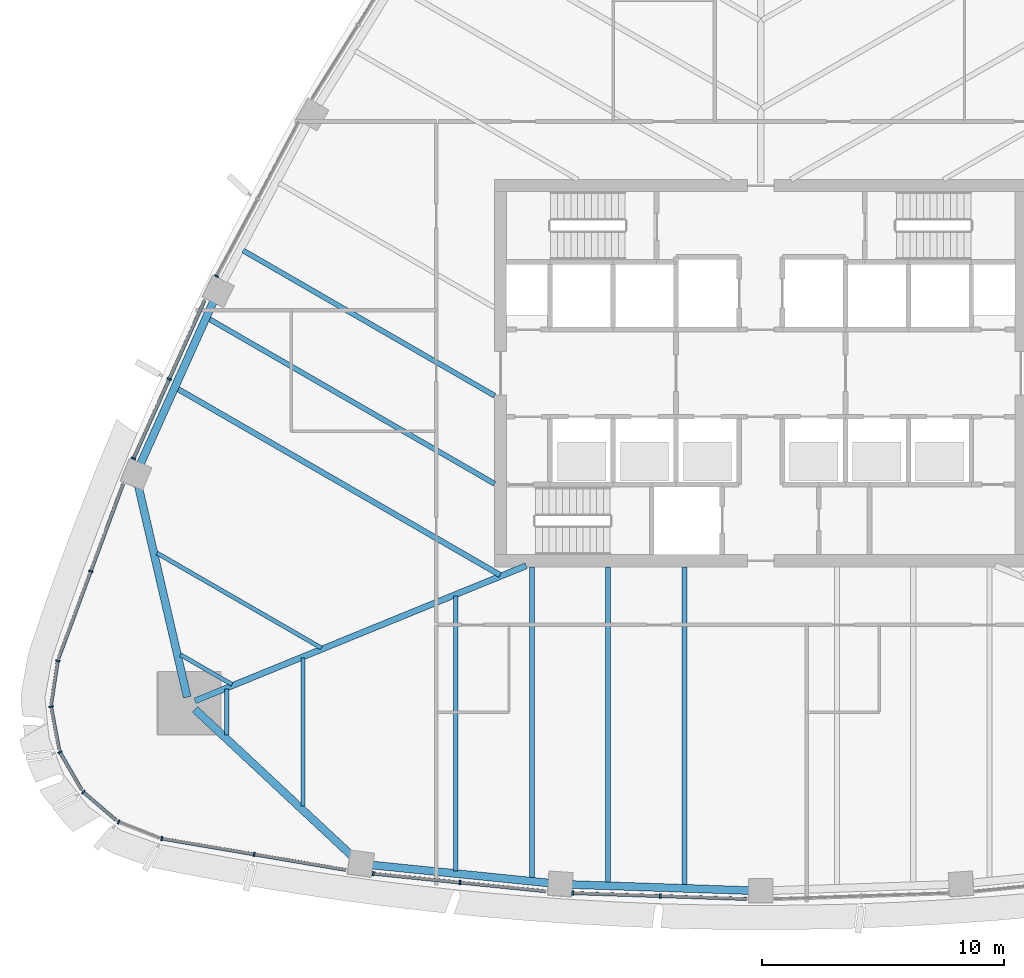
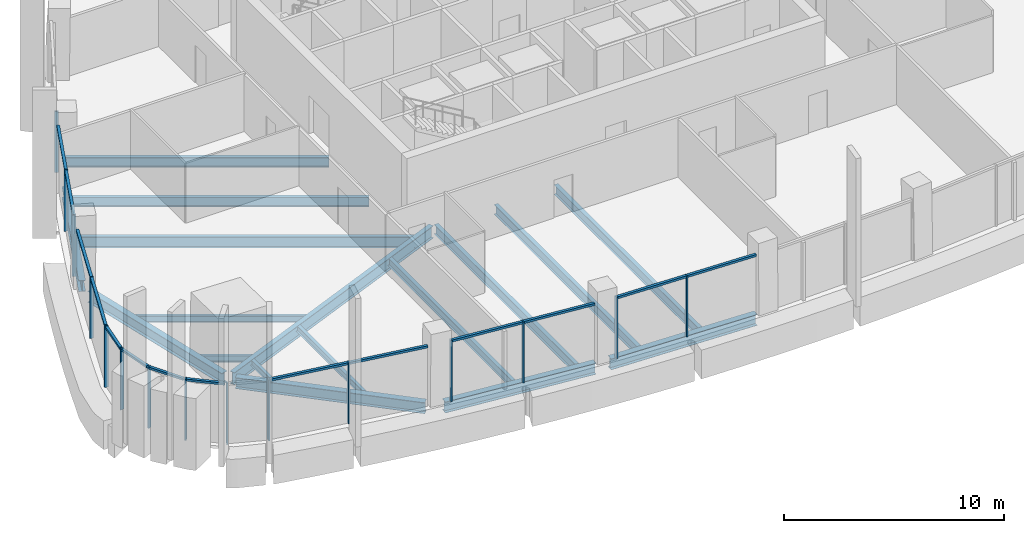
# One storey, part 2 of 19: 29 members, 17 beams, 11 elements without a shape of their own.
"""IFC4 building model written with IfcOpenShell, lengths in metres."""

import ifcopenshell
import ifcopenshell.guid

model = None  # the IFC model being written
_history = None  # IfcOwnerHistory: only IFC2X3 demands one
_inside = {}  # id of a spatial element -> (the spatial element, [elements in it])
_under = {}  # id of a project, library or spatial element -> (it, [spatial elements below it])
_declared = {}  # id of a project -> (the project, [libraries it declares])
_typed = {}  # id of a type object -> (the type object, [elements of that type])
_made_of = {}  # id of a material, layer set ... -> (it, [elements and type objects made of it])


def new_model(schema):
    """Start an empty IFC model of exactly this schema.

    Asked for "IFC4X3", IfcOpenShell would pick the latest addendum, in which some entities
    have other attributes; the version numbers below select the first issue.
    IFC2X3 requires an IfcOwnerHistory on every rooted entity: one is made here for all.
    """
    global model, _history
    if schema == "IFC4X3":
        model = ifcopenshell.file(schema_version=(4, 3, 0, 0))
    else:
        model = ifcopenshell.file(schema=schema)
    _inside.clear()
    _under.clear()
    _declared.clear()
    _typed.clear()
    _made_of.clear()
    _history = None
    if model.schema == "IFC2X3":
        org = make("IfcOrganization", Name="unknown")
        user = make(
            "IfcPersonAndOrganization",
            ThePerson=make("IfcPerson", FamilyName="unknown"),
            TheOrganization=org,
        )
        app = make(
            "IfcApplication",
            ApplicationDeveloper=org,
            Version="unknown",
            ApplicationFullName="unknown",
            ApplicationIdentifier="unknown",
        )
        _history = make(
            "IfcOwnerHistory",
            OwningUser=user,
            OwningApplication=app,
            ChangeAction="ADDED",
            CreationDate=0,
        )
    return model


def make(cls, **values):
    """One entity of the class cls with the attributes given. An attribute that is None is left unset."""
    return model.create_entity(
        cls, **{name: value for name, value in values.items() if value is not None}
    )


def rooted(cls, **values):
    """An entity with a GlobalId (a new one), such as an element, a storey or a relation."""
    return make(cls, GlobalId=ifcopenshell.guid.new(), OwnerHistory=_history, **values)


def si_unit(unit_type, name, prefix=None):
    """IfcSIUnit, for example si_unit("LENGTHUNIT", "METRE", prefix="MILLI")."""
    return make("IfcSIUnit", UnitType=unit_type, Prefix=prefix, Name=name)


def assignment(units):
    """IfcUnitAssignment: the units of a project."""
    return None if units is None else make("IfcUnitAssignment", Units=units)


def point(xyz):
    """IfcCartesianPoint."""
    return None if xyz is None else make("IfcCartesianPoint", Coordinates=xyz)


def direction(xyz):
    """IfcDirection."""
    return None if xyz is None else make("IfcDirection", DirectionRatios=xyz)


def frame(location, z_axis=None, x_axis=None):
    """IfcAxis2Placement3D, a coordinate frame: its origin and axes. An axis left out is left unset."""
    return make(
        "IfcAxis2Placement3D",
        Location=point(location),
        Axis=direction(z_axis),
        RefDirection=direction(x_axis),
    )


def frame_2d(location, x_axis=None):
    """IfcAxis2Placement2D, a coordinate frame in the plane: its origin and x axis."""
    return make(
        "IfcAxis2Placement2D", Location=point(location), RefDirection=direction(x_axis)
    )


def origin():
    """The frame at (0, 0, 0) with its axes left unset."""
    return frame((0.0, 0.0, 0.0))


def origin_2d():
    """The frame at (0, 0) in the plane with its x axis left unset."""
    return frame_2d((0.0, 0.0))


def place(relative_to, where):
    """IfcLocalPlacement: puts the frame where relative to a parent placement (None: the world)."""
    return make(
        "IfcLocalPlacement", PlacementRelTo=relative_to, RelativePlacement=where
    )


def context(
    kind, dimensions, precision=None, world=None, true_north=None, identifier=None
):
    """IfcGeometricRepresentationContext, for example the 3D "Model" context."""
    return make(
        "IfcGeometricRepresentationContext",
        ContextIdentifier=identifier,
        ContextType=kind,
        CoordinateSpaceDimension=dimensions,
        Precision=precision,
        WorldCoordinateSystem=world,
        TrueNorth=true_north,
    )


def subcontext(parent, identifier, kind, view, scale=None):
    """IfcGeometricRepresentationSubContext, for example "Body" below "Model"."""
    return make(
        "IfcGeometricRepresentationSubContext",
        ContextIdentifier=identifier,
        ContextType=kind,
        ParentContext=parent,
        TargetScale=scale,
        TargetView=view,
    )


def project(units=None, contexts=None):
    """IfcProject with its units and contexts."""
    return rooted(
        "IfcProject",
        Name="project",
        RepresentationContexts=contexts,
        UnitsInContext=assignment(units),
    )


def spatial(cls, under=None, at=None, **own):
    """A site, building, storey or space (cls), placed at a placement, below another one or the project."""
    s = rooted(cls, ObjectPlacement=at, **own)
    if under is not None:
        _under.setdefault(under.id(), (under, []))[1].append(s)
    return s


def profile(cls, at=None, kind="AREA", **sizes):
    """A parametric profile (cls). Its sizes go by their IFC names, for example OverallWidth=200.0."""
    return make(cls, ProfileType=kind, Position=at, **sizes)


def rectangle(**sizes):
    """IfcRectangleProfileDef."""
    return profile("IfcRectangleProfileDef", **sizes)


def i_section(**sizes):
    """IfcIShapeProfileDef."""
    return profile("IfcIShapeProfileDef", **sizes)


def extrude(swept, where, along, depth):
    """IfcExtrudedAreaSolid: the profile swept, set in the frame where, extruded along a direction by depth."""
    return make(
        "IfcExtrudedAreaSolid",
        SweptArea=swept,
        Position=where,
        ExtrudedDirection=direction(along),
        Depth=depth,
    )


def shape(context_of_items, identifier, shape_type, items):
    """IfcShapeRepresentation: the items that make up one representation, for example the "Body"."""
    return make(
        "IfcShapeRepresentation",
        ContextOfItems=context_of_items,
        RepresentationIdentifier=identifier,
        RepresentationType=shape_type,
        Items=items,
    )


def material(Name=None, Category=None):
    """IfcMaterial."""
    return make("IfcMaterial", Name=Name, Category=Category)


def layer(
    of_material, thickness, ventilated=None, Name=None, Category=None, Priority=None
):
    """IfcMaterialLayer: one layer of a wall or slab, of a material (None: an air gap)."""
    return make(
        "IfcMaterialLayer",
        Material=of_material,
        LayerThickness=thickness,
        IsVentilated=ventilated,
        Name=Name,
        Category=Category,
        Priority=Priority,
    )


def layer_set(layers, Name=None):
    """IfcMaterialLayerSet."""
    return make("IfcMaterialLayerSet", MaterialLayers=layers, LayerSetName=Name)


def material_profile(
    of_material, cross_section, Name=None, Category=None, Priority=None
):
    """IfcMaterialProfile: a cross section and its material."""
    return make(
        "IfcMaterialProfile",
        Name=Name,
        Material=of_material,
        Profile=cross_section,
        Priority=Priority,
        Category=Category,
    )


def profile_set(profiles, Name=None, composite=None):
    """IfcMaterialProfileSet."""
    return make(
        "IfcMaterialProfileSet",
        Name=Name,
        MaterialProfiles=profiles,
        CompositeProfile=composite,
    )


def made_of(thing, what):
    """Note that an element or type object is made of a material, layer set ...; save() writes the relation."""
    if what is not None:
        _made_of.setdefault(what.id(), (what, []))[1].append(thing)
    return thing


def type_object(cls, material=None, **own):
    """A type object (cls), such as IfcWallType, which elements share."""
    return made_of(rooted(cls, **own), material)


def element(
    cls,
    number,
    at=None,
    inside=None,
    cuts=None,
    type_object=None,
    material=None,
    context=None,
    identifier="Body",
    shape_type=None,
    held_by="IfcProductDefinitionShape",
    body=None,
    shapes=None,
    **own,
):
    """One element of the class cls, such as IfcWall. Its Tag is "e" and its number.

    at: its placement. inside: the storey or other place that contains it. cuts: it is an
    opening in that element (IfcRelVoidsElement). A single representation is given by context,
    identifier, shape_type and body (its items); several are given by shapes. held_by: the class
    of the entity that holds the representations. save() writes the other relations.
    """
    e = rooted(cls, Tag="e%d" % number, ObjectPlacement=at, **own)
    if body is not None:
        shapes = [shape(context, identifier, shape_type, body)]
    if shapes is not None:
        e.Representation = make(held_by, Representations=shapes)
    if inside is not None:
        _inside.setdefault(inside.id(), (inside, []))[1].append(e)
    if cuts is not None:
        rooted(
            "IfcRelVoidsElement", RelatingBuildingElement=cuts, RelatedOpeningElement=e
        )
    if type_object is not None:
        _typed.setdefault(type_object.id(), (type_object, []))[1].append(e)
    return made_of(e, material)


def aggregate(whole, parts):
    """IfcRelAggregates: a whole, such as a stair, and the parts it consists of."""
    return rooted("IfcRelAggregates", RelatingObject=whole, RelatedObjects=parts)


def save(model, path):
    """Write the relations noted so far, then the file.

    IfcRelAggregates (storeys below a building ...), IfcRelContainedInSpatialStructure (elements
    in a storey), IfcRelDefinesByType, IfcRelAssociatesMaterial and IfcRelDeclares: one each for
    every whole, place, type object, material and project.
    """
    for whole, parts in _under.values():
        aggregate(whole, parts)
    for where, things in _inside.values():
        rooted(
            "IfcRelContainedInSpatialStructure",
            RelatedElements=things,
            RelatingStructure=where,
        )
    for kind, things in _typed.values():
        rooted("IfcRelDefinesByType", RelatedObjects=things, RelatingType=kind)
    for what, things in _made_of.values():
        rooted("IfcRelAssociatesMaterial", RelatedObjects=things, RelatingMaterial=what)
    for by, libraries in _declared.values():
        rooted("IfcRelDeclares", RelatingContext=by, RelatedDefinitions=libraries)
    model.write(path)


model = new_model("IFC4")

# Units and contexts
model_context = context("Model", 3, precision=1e-05, world=origin(), true_north=direction((0.0, 1.0)))
body_context = subcontext(model_context, "Body", "Model", "MODEL_VIEW")
ifc_project = project(units=[si_unit("LENGTHUNIT", "METRE"), si_unit("AREAUNIT", "SQUARE_METRE"), si_unit("VOLUMEUNIT", "CUBIC_METRE"), si_unit("PLANEANGLEUNIT", "RADIAN"), si_unit("MASSUNIT", "GRAM", prefix="KILO")], contexts=[model_context])

# Site, building, storey
site_placement = place(None, origin())
site = spatial("IfcSite", under=ifc_project, at=site_placement, CompositionType="ELEMENT")
building_placement = place(site_placement, origin())
building = spatial("IfcBuilding", under=site, at=building_placement, Name="Sierra Prisma Convention Tower", CompositionType="ELEMENT")
storey_placement = place(building_placement, frame((0.0, 0.0, 177.800048828125)))
storey = spatial("IfcBuildingStorey", under=building, at=storey_placement, Name="L39", CompositionType="ELEMENT", Elevation=177.800048828125)

# Curtain wall, members
ifc_material_1 = material(Name="Aluminium and glass curtain wall", Category="aluminium")
ifc_layer = layer(ifc_material_1, 0.179931640625)
ifc_layer_set = layer_set([ifc_layer], Name="CW-1 Plain shaft curtain wall")
curtain_wall_type = type_object("IfcCurtainWallType", Name="CW-1 Plain shaft curtain wall", PredefinedType="NOTDEFINED", material=ifc_layer_set)
curtain_wall_1_placement = place(storey_placement, origin())
curtain_wall_1 = element("IfcCurtainWall", 1, at=curtain_wall_1_placement, inside=storey, type_object=curtain_wall_type, Name="CW-1 S1 L39", PredefinedType="NOTDEFINED")
ifc_material_2 = material(Name="Aluminium 6063-T6 bronze anodised", Category="aluminium")
ifc_material_profile_1 = material_profile(ifc_material_2, rectangle(XDim=0.179931640625, YDim=0.070068359375, at=origin_2d()), Name="ALU MULLION 70x180")
ifc_profile_set_1 = profile_set([ifc_material_profile_1], Name="Aluminium 6063-T6 bronze anodised")
member_type_1 = type_object("IfcMemberType", Name="CW mullion bronze", PredefinedType="MULLION", material=ifc_profile_set_1)
member_1_placement = place(storey_placement, frame((-24.746337890625, -19.22802734375, 0.0), z_axis=(0.0, 0.0, 1.0), x_axis=(0.16806003427, 0.985776762194, 0.0)))
member_1 = element("IfcMember", 2, at=member_1_placement, type_object=member_type_1, Name="CW-1 mullion S1.1", PredefinedType="MULLION", context=body_context, shape_type="SweptSolid", body=[
    extrude(rectangle(XDim=0.179931640625, YDim=0.070068359375, at=origin_2d()), origin(), (0.0, 0.0, 1.0), 3.39990234375),
])
member_2_placement = place(storey_placement, frame((-20.9287109375, -19.87890625, 0.0), z_axis=(0.0, 0.0, 1.0), x_axis=(0.16806003427, 0.985776762194, 0.0)))
member_2 = element("IfcMember", 3, at=member_2_placement, type_object=member_type_1, Name="CW-1 mullion S1.2", PredefinedType="MULLION", context=body_context, shape_type="SweptSolid", body=[
    extrude(rectangle(XDim=0.179931640625, YDim=0.070068359375, at=origin_2d()), origin(), (0.0, 0.0, 1.0), 3.39990234375),
])

curtain_wall_2_placement = place(storey_placement, origin())
curtain_wall_2 = element("IfcCurtainWall", 4, at=curtain_wall_2_placement, inside=storey, type_object=curtain_wall_type, Name="CW-1 S2 L39", PredefinedType="NOTDEFINED")
member_3_placement = place(storey_placement, frame((-16.007080078125, -20.67822265625, 0.0), z_axis=(0.0, 0.0, 1.0), x_axis=(0.101143579749, 0.994871839121, 0.0)))
member_3 = element("IfcMember", 5, at=member_3_placement, type_object=member_type_1, Name="CW-1 mullion S2.1", PredefinedType="MULLION", context=body_context, shape_type="SweptSolid", body=[
    extrude(rectangle(XDim=0.179931640625, YDim=0.070068359375, at=origin_2d()), origin(), (0.0, 0.0, 1.0), 3.39990234375),
])
member_4_placement = place(storey_placement, frame((-12.425048828125, -21.04248046875, 0.0), z_axis=(0.0, 0.0, 1.0), x_axis=(0.101143579749, 0.994871839121, 0.0)))
member_4 = element("IfcMember", 6, at=member_4_placement, type_object=member_type_1, Name="CW-1 mullion S2.2", PredefinedType="MULLION", context=body_context, shape_type="SweptSolid", body=[
    extrude(rectangle(XDim=0.179931640625, YDim=0.070068359375, at=origin_2d()), origin(), (0.0, 0.0, 1.0), 3.39990234375),
])

curtain_wall_3_placement = place(storey_placement, origin())
curtain_wall_3 = element("IfcCurtainWall", 7, at=curtain_wall_3_placement, inside=storey, type_object=curtain_wall_type, Name="CW-1 S3 L39", PredefinedType="NOTDEFINED")
member_5_placement = place(storey_placement, frame((-7.763427734375, -21.479248046875, 0.0), z_axis=(0.0, 0.0, 1.0), x_axis=(0.033765856682, 0.999429770881, 0.0)))
member_5 = element("IfcMember", 8, at=member_5_placement, type_object=member_type_1, Name="CW-1 mullion S3.1", PredefinedType="MULLION", context=body_context, shape_type="SweptSolid", body=[
    extrude(rectangle(XDim=0.179931640625, YDim=0.070068359375, at=origin_2d()), origin(), (0.0, 0.0, 1.0), 3.39990234375),
])
member_6_placement = place(storey_placement, frame((-4.149169921875, -21.601318359375, 0.0), z_axis=(0.0, 0.0, 1.0), x_axis=(0.033765856682, 0.999429770881, 0.0)))
member_6 = element("IfcMember", 9, at=member_6_placement, type_object=member_type_1, Name="CW-1 mullion S3.2", PredefinedType="MULLION", context=body_context, shape_type="SweptSolid", body=[
    extrude(rectangle(XDim=0.179931640625, YDim=0.070068359375, at=origin_2d()), origin(), (0.0, 0.0, 1.0), 3.39990234375),
])

# Curtain wall, member
curtain_wall_4_placement = place(storey_placement, origin())
curtain_wall_4 = element("IfcCurtainWall", 10, at=curtain_wall_4_placement, inside=storey, type_object=curtain_wall_type, Name="CW-1 NW4 L39", PredefinedType="NOTDEFINED")
member_7_placement = place(storey_placement, frame((-22.483154296875, 4.01611328125, 0.0), z_axis=(0.0, 0.0, 1.0), x_axis=(0.882414499222, -0.470472795773, 0.0)))
member_7 = element("IfcMember", 11, at=member_7_placement, type_object=member_type_1, Name="CW-1 mullion NW4.3", PredefinedType="MULLION", context=body_context, shape_type="SweptSolid", body=[
    extrude(rectangle(XDim=0.179931640625, YDim=0.070068359375, at=origin_2d()), origin(), (0.0, 0.0, 1.0), 3.39990234375),
])
aggregate(curtain_wall_4, [member_7])

# Curtain wall, members
curtain_wall_5_placement = place(storey_placement, origin())
curtain_wall_5 = element("IfcCurtainWall", 12, at=curtain_wall_5_placement, inside=storey, type_object=curtain_wall_type, Name="CW-1 NW5 L39", PredefinedType="NOTDEFINED")
member_8_placement = place(storey_placement, frame((-24.435791015625, -0.2392578125, 0.0), z_axis=(0.0, 0.0, 1.0), x_axis=(0.912156076063, -0.409843010068, 0.0)))
member_8 = element("IfcMember", 13, at=member_8_placement, type_object=member_type_1, Name="CW-1 mullion NW5.2", PredefinedType="MULLION", context=body_context, shape_type="SweptSolid", body=[
    extrude(rectangle(XDim=0.179931640625, YDim=0.070068359375, at=origin_2d()), origin(), (0.0, 0.0, 1.0), 3.39990234375),
])
member_9_placement = place(storey_placement, frame((-25.911376953125, -3.5234375, 0.0), z_axis=(0.0, 0.0, 1.0), x_axis=(0.912156076063, -0.409843010068, 0.0)))
member_9 = element("IfcMember", 14, at=member_9_placement, type_object=member_type_1, Name="CW-1 mullion NW5.3", PredefinedType="MULLION", context=body_context, shape_type="SweptSolid", body=[
    extrude(rectangle(XDim=0.179931640625, YDim=0.070068359375, at=origin_2d()), origin(), (0.0, 0.0, 1.0), 3.39990234375),
])

# Curtain wall, member
curtain_wall_6_placement = place(storey_placement, origin())
curtain_wall_6 = element("IfcCurtainWall", 15, at=curtain_wall_6_placement, inside=storey, type_object=curtain_wall_type, Name="CW-1 NW6 L39", PredefinedType="NOTDEFINED")
member_10_placement = place(storey_placement, frame((-27.679931640625, -8.185302734375, 0.0), z_axis=(0.0, 0.0, 1.0), x_axis=(0.937737735655, -0.347344122058, 0.0)))
member_10 = element("IfcMember", 16, at=member_10_placement, type_object=member_type_1, Name="CW-1 mullion NW6.2", PredefinedType="MULLION", context=body_context, shape_type="SweptSolid", body=[
    extrude(rectangle(XDim=0.179931640625, YDim=0.070068359375, at=origin_2d()), origin(), (0.0, 0.0, 1.0), 3.39990234375),
])

curtain_wall_7_placement = place(storey_placement, origin())
curtain_wall_7 = element("IfcCurtainWall", 17, at=curtain_wall_7_placement, inside=storey, type_object=curtain_wall_type, Name="CW-1 SW1 L39", PredefinedType="NOTDEFINED")
member_11_placement = place(storey_placement, frame((-29.04248046875, -11.88427734375, 0.0), z_axis=(0.0, 0.0, 1.0), x_axis=(0.988462297982, -0.151467110188, 0.0)))
member_11 = element("IfcMember", 18, at=member_11_placement, type_object=member_type_1, Name="CW-1 mullion SW1.1", PredefinedType="MULLION", context=body_context, shape_type="SweptSolid", body=[
    extrude(rectangle(XDim=0.179931640625, YDim=0.070068359375, at=origin_2d()), origin(), (0.0, 0.0, 1.0), 3.39990234375),
])

curtain_wall_8_placement = place(storey_placement, origin())
curtain_wall_8 = element("IfcCurtainWall", 19, at=curtain_wall_8_placement, inside=storey, type_object=curtain_wall_type, Name="CW-1 SW2 L39", PredefinedType="NOTDEFINED")
member_12_placement = place(storey_placement, frame((-29.320556640625, -13.776123046875, 0.0), z_axis=(0.0, 0.0, 1.0), x_axis=(0.982793726025, 0.184706502553, 0.0)))
member_12 = element("IfcMember", 20, at=member_12_placement, type_object=member_type_1, Name="CW-1 mullion SW2.1", PredefinedType="MULLION", context=body_context, shape_type="SweptSolid", body=[
    extrude(rectangle(XDim=0.179931640625, YDim=0.070068359375, at=origin_2d()), origin(), (0.0, 0.0, 1.0), 3.39990234375),
])

curtain_wall_9_placement = place(storey_placement, origin())
curtain_wall_9 = element("IfcCurtainWall", 21, at=curtain_wall_9_placement, inside=storey, type_object=curtain_wall_type, Name="CW-1 SW3 L39", PredefinedType="NOTDEFINED")
member_13_placement = place(storey_placement, frame((-28.9560546875, -15.653076171875, 0.0), z_axis=(0.0, 0.0, 1.0), x_axis=(0.866025403784, 0.5, 0.0)))
member_13 = element("IfcMember", 22, at=member_13_placement, type_object=member_type_1, Name="CW-1 mullion SW3.1", PredefinedType="MULLION", context=body_context, shape_type="SweptSolid", body=[
    extrude(rectangle(XDim=0.179931640625, YDim=0.070068359375, at=origin_2d()), origin(), (0.0, 0.0, 1.0), 3.39990234375),
])

curtain_wall_10_placement = place(storey_placement, origin())
curtain_wall_10 = element("IfcCurtainWall", 23, at=curtain_wall_10_placement, inside=storey, type_object=curtain_wall_type, Name="CW-1 SW4 L39", PredefinedType="NOTDEFINED")
member_14_placement = place(storey_placement, frame((-27.989990234375, -17.30322265625, 0.0), z_axis=(0.0, 0.0, 1.0), x_axis=(0.651357386468, 0.758771082141, 0.0)))
member_14 = element("IfcMember", 24, at=member_14_placement, type_object=member_type_1, Name="CW-1 mullion SW4.1", PredefinedType="MULLION", context=body_context, shape_type="SweptSolid", body=[
    extrude(rectangle(XDim=0.179931640625, YDim=0.070068359375, at=origin_2d()), origin(), (0.0, 0.0, 1.0), 3.39990234375),
])

curtain_wall_11_placement = place(storey_placement, origin())
curtain_wall_11 = element("IfcCurtainWall", 25, at=curtain_wall_11_placement, inside=storey, type_object=curtain_wall_type, Name="CW-1 SW5 L39", PredefinedType="NOTDEFINED")
member_15_placement = place(storey_placement, frame((-26.531494140625, -18.539794921875, 0.0), z_axis=(0.0, 0.0, 1.0), x_axis=(0.36305678373, 0.931767015829, 0.0)))
member_15 = element("IfcMember", 26, at=member_15_placement, type_object=member_type_1, Name="CW-1 mullion SW5.1", PredefinedType="MULLION", context=body_context, shape_type="SweptSolid", body=[
    extrude(rectangle(XDim=0.179931640625, YDim=0.070068359375, at=origin_2d()), origin(), (0.0, 0.0, 1.0), 3.39990234375),
])
aggregate(curtain_wall_11, [member_15])

# Member
ifc_material_3 = material(Name="Aluminium 6063-T6 bronze anodised", Category="aluminium")
ifc_material_profile_2 = material_profile(ifc_material_3, rectangle(XDim=0.139892578125, YDim=0.1201171875, at=origin_2d()), Name="ALU TRANSOM 120x140")
ifc_profile_set_2 = profile_set([ifc_material_profile_2], Name="Aluminium 6063-T6 bronze anodised")
member_type_2 = type_object("IfcMemberType", Name="CW transom bronze", PredefinedType="USERDEFINED", material=ifc_profile_set_2)
member_16_placement = place(storey_placement, frame((-24.711669921875, -19.23388671875, 3.33984375), z_axis=(0.985772771819, -0.168083438623, 0.0), x_axis=(0.168083438623, 0.985772771819, 0.0)))
member_16 = element("IfcMember", 27, at=member_16_placement, type_object=member_type_2, Name="CW-1 transom S1.1", ObjectType="TRANSOM", PredefinedType="USERDEFINED", context=body_context, shape_type="SweptSolid", body=[
    extrude(rectangle(XDim=0.139892578125, YDim=0.1201171875, at=origin_2d()), origin(), (0.0, 0.0, 1.0), 3.802734375),
])

member_17_placement = place(storey_placement, frame((-20.89404296875, -19.884765625, 3.33984375), z_axis=(0.985783407887, -0.168021048485, 0.0), x_axis=(0.168021048485, 0.985783407887, 0.0)))
member_17 = element("IfcMember", 28, at=member_17_placement, type_object=member_type_2, Name="CW-1 transom S1.2", ObjectType="TRANSOM", PredefinedType="USERDEFINED", context=body_context, shape_type="SweptSolid", body=[
    extrude(rectangle(XDim=0.139892578125, YDim=0.1201171875, at=origin_2d()), origin(), (0.0, 0.0, 1.0), 3.802490234375),
])

aggregate(curtain_wall_1, [member_1, member_2, member_16, member_17])

member_18_placement = place(storey_placement, frame((-15.97216796875, -20.681640625, 3.33984375), z_axis=(0.994869427128, -0.101167301862, 0.0), x_axis=(0.101167301862, 0.994869427128, 0.0)))
member_18 = element("IfcMember", 29, at=member_18_placement, type_object=member_type_2, Name="CW-1 transom S2.1", ObjectType="TRANSOM", PredefinedType="USERDEFINED", context=body_context, shape_type="SweptSolid", body=[
    extrude(rectangle(XDim=0.139892578125, YDim=0.1201171875, at=origin_2d()), origin(), (0.0, 0.0, 1.0), 3.530517578125),
])

member_19_placement = place(storey_placement, frame((-12.39013671875, -21.0458984375, 3.33984375), z_axis=(0.994869427128, -0.101167301862, 0.0), x_axis=(0.101167301862, 0.994869427128, 0.0)))
member_19 = element("IfcMember", 30, at=member_19_placement, type_object=member_type_2, Name="CW-1 transom S2.2", ObjectType="TRANSOM", PredefinedType="USERDEFINED", context=body_context, shape_type="SweptSolid", body=[
    extrude(rectangle(XDim=0.139892578125, YDim=0.1201171875, at=origin_2d()), origin(), (0.0, 0.0, 1.0), 3.530517578125),
])

aggregate(curtain_wall_2, [member_3, member_4, member_18, member_19])

member_20_placement = place(storey_placement, frame((-7.728515625, -21.480224609375, 3.33984375), z_axis=(0.999428591047, -0.033800760312, 0.0), x_axis=(0.033800760312, 0.999428591047, 0.0)))
member_20 = element("IfcMember", 31, at=member_20_placement, type_object=member_type_2, Name="CW-1 transom S3.1", ObjectType="TRANSOM", PredefinedType="USERDEFINED", context=body_context, shape_type="SweptSolid", body=[
    extrude(rectangle(XDim=0.139892578125, YDim=0.1201171875, at=origin_2d()), origin(), (0.0, 0.0, 1.0), 3.54638671875),
])

member_21_placement = place(storey_placement, frame((-4.1142578125, -21.6025390625, 3.33984375), z_axis=(0.999430992546, -0.033729677412, 0.0), x_axis=(0.033729677412, 0.999430992546, 0.0)))
member_21 = element("IfcMember", 32, at=member_21_placement, type_object=member_type_2, Name="CW-1 transom S3.2", ObjectType="TRANSOM", PredefinedType="USERDEFINED", context=body_context, shape_type="SweptSolid", body=[
    extrude(rectangle(XDim=0.139892578125, YDim=0.1201171875, at=origin_2d()), origin(), (0.0, 0.0, 1.0), 3.546630859375),
])

aggregate(curtain_wall_3, [member_5, member_6, member_20, member_21])

member_22_placement = place(storey_placement, frame((-22.974365234375, 3.01318359375, 3.33984375), z_axis=(-0.409849943102, -0.912152960933, 0.0), x_axis=(0.912152960933, -0.409849943102, 0.0)))
member_22 = element("IfcMember", 33, at=member_22_placement, type_object=member_type_2, Name="CW-1 transom NW5.1", ObjectType="TRANSOM", PredefinedType="USERDEFINED", context=body_context, shape_type="SweptSolid", body=[
    extrude(rectangle(XDim=0.139892578125, YDim=0.1201171875, at=origin_2d()), origin(), (0.0, 0.0, 1.0), 3.530517578125),
])

member_23_placement = place(storey_placement, frame((-24.449951171875, -0.27099609375, 3.33984375), z_axis=(-0.409849943102, -0.912152960933, 0.0), x_axis=(0.912152960933, -0.409849943102, 0.0)))
member_23 = element("IfcMember", 34, at=member_23_placement, type_object=member_type_2, Name="CW-1 transom NW5.2", ObjectType="TRANSOM", PredefinedType="USERDEFINED", context=body_context, shape_type="SweptSolid", body=[
    extrude(rectangle(XDim=0.139892578125, YDim=0.1201171875, at=origin_2d()), origin(), (0.0, 0.0, 1.0), 3.530517578125),
])

aggregate(curtain_wall_5, [member_8, member_9, member_22, member_23])

member_24_placement = place(storey_placement, frame((-26.346923828125, -4.58642578125, 3.33984375), z_axis=(-0.347335266065, -0.937741015925, 0.0), x_axis=(0.937741015925, -0.347335266065, 0.0)))
member_24 = element("IfcMember", 35, at=member_24_placement, type_object=member_type_2, Name="CW-1 transom NW6.1", ObjectType="TRANSOM", PredefinedType="USERDEFINED", context=body_context, shape_type="SweptSolid", body=[
    extrude(rectangle(XDim=0.139892578125, YDim=0.1201171875, at=origin_2d()), origin(), (0.0, 0.0, 1.0), 3.802734375),
])

member_25_placement = place(storey_placement, frame((-27.692138671875, -8.218017578125, 3.33984375), z_axis=(-0.347314355824, -0.937748760724, 0.0), x_axis=(0.937748760724, -0.347314355824, 0.0)))
member_25 = element("IfcMember", 36, at=member_25_placement, type_object=member_type_2, Name="CW-1 transom NW6.2", ObjectType="TRANSOM", PredefinedType="USERDEFINED", context=body_context, shape_type="SweptSolid", body=[
    extrude(rectangle(XDim=0.139892578125, YDim=0.1201171875, at=origin_2d()), origin(), (0.0, 0.0, 1.0), 3.802978515625),
])

aggregate(curtain_wall_6, [member_10, member_24, member_25])

member_26_placement = place(storey_placement, frame((-29.0478515625, -11.9189453125, 3.33984375), z_axis=(-0.151374649581, -0.988476461765, 0.0), x_axis=(0.988476461765, -0.151374649581, 0.0)))
member_26 = element("IfcMember", 37, at=member_26_placement, type_object=member_type_2, Name="CW-1 transom SW1.1", ObjectType="TRANSOM", PredefinedType="USERDEFINED", context=body_context, shape_type="SweptSolid", body=[
    extrude(rectangle(XDim=0.139892578125, YDim=0.1201171875, at=origin_2d()), origin(), (0.0, 0.0, 1.0), 1.774169921875),
])

aggregate(curtain_wall_7, [member_11, member_26])

member_27_placement = place(storey_placement, frame((-29.314208984375, -13.810546875, 3.33984375), z_axis=(0.184695687978, -0.982795758458, 0.0), x_axis=(0.982795758458, 0.184695687978, 0.0)))
member_27 = element("IfcMember", 38, at=member_27_placement, type_object=member_type_2, Name="CW-1 transom SW2.1", ObjectType="TRANSOM", PredefinedType="USERDEFINED", context=body_context, shape_type="SweptSolid", body=[
    extrude(rectangle(XDim=0.139892578125, YDim=0.1201171875, at=origin_2d()), origin(), (0.0, 0.0, 1.0), 1.77392578125),
])

aggregate(curtain_wall_8, [member_12, member_27])

member_28_placement = place(storey_placement, frame((-28.9384765625, -15.683349609375, 3.33984375), z_axis=(0.499972622635, -0.866041209536, 0.0), x_axis=(0.866041209536, 0.499972622635, 0.0)))
member_28 = element("IfcMember", 39, at=member_28_placement, type_object=member_type_2, Name="CW-1 transom SW3.1", ObjectType="TRANSOM", PredefinedType="USERDEFINED", context=body_context, shape_type="SweptSolid", body=[
    extrude(rectangle(XDim=0.139892578125, YDim=0.1201171875, at=origin_2d()), origin(), (0.0, 0.0, 1.0), 1.77392578125),
])

aggregate(curtain_wall_9, [member_13, member_28])

member_29_placement = place(storey_placement, frame((-27.96337890625, -17.325927734375, 3.33984375), z_axis=(0.758673456366, -0.651471094221, 0.0), x_axis=(0.651471094221, 0.758673456366, 0.0)))
member_29 = element("IfcMember", 40, at=member_29_placement, type_object=member_type_2, Name="CW-1 transom SW4.1", ObjectType="TRANSOM", PredefinedType="USERDEFINED", context=body_context, shape_type="SweptSolid", body=[
    extrude(rectangle(XDim=0.139892578125, YDim=0.1201171875, at=origin_2d()), origin(), (0.0, 0.0, 1.0), 1.774169921875),
])

aggregate(curtain_wall_10, [member_14, member_29])

# Beams
ifc_material_4 = material(Name="Steel ASTM A992 Gr 50", Category="steel")
ifc_material_profile_3 = material_profile(ifc_material_4, i_section(OverallWidth=0.172119140625, OverallDepth=0.35791015625, WebThickness=0.0078125, FlangeThickness=0.01318359375, at=origin_2d()), Name="W360x57")
ifc_profile_set_3 = profile_set([ifc_material_profile_3], Name="Steel ASTM A992 Gr 50")
beam_type_1 = type_object("IfcBeamType", Name="Floor joist W360x57", PredefinedType="JOIST", material=ifc_profile_set_3)
beam_1_placement = place(storey_placement, frame((-22.059326171875, -14.9443359375, -0.3291015625), z_axis=(0.0, 1.0, 0.0), x_axis=(-1.0, 0.0, 0.0)))
element("IfcBeam", 41, at=beam_1_placement, inside=storey, type_object=beam_type_1, Name="Floor joist L39 S01", PredefinedType="JOIST", context=body_context, shape_type="SweptSolid", body=[
    extrude(i_section(OverallWidth=0.172119140625, OverallDepth=0.35791015625, WebThickness=0.0078125, FlangeThickness=0.01318359375, at=origin_2d()), origin(), (0.0, 0.0, 1.0), 1.88671875),
])
beam_2_placement = place(storey_placement, frame((-18.907958984375, -17.886474609375, -0.3291015625), z_axis=(0.0, 1.0, 0.0), x_axis=(-1.0, 0.0, 0.0)))
element("IfcBeam", 42, at=beam_2_placement, inside=storey, type_object=beam_type_1, Name="Floor joist L39 S02", PredefinedType="JOIST", context=body_context, shape_type="SweptSolid", body=[
    extrude(i_section(OverallWidth=0.172119140625, OverallDepth=0.35791015625, WebThickness=0.0078125, FlangeThickness=0.01318359375, at=origin_2d()), origin(), (0.0, 0.0, 1.0), 6.11474609375),
])
beam_3_placement = place(storey_placement, frame((-24.944091796875, -7.431640625, -0.3291015625), z_axis=(0.866025932, -0.499999085102, 0.0), x_axis=(0.499999085102, 0.866025932, 0.0)))
element("IfcBeam", 43, at=beam_3_placement, inside=storey, type_object=beam_type_1, Name="Floor joist L39 NW14", PredefinedType="JOIST", context=body_context, shape_type="SweptSolid", body=[
    extrude(i_section(OverallWidth=0.172119140625, OverallDepth=0.35791015625, WebThickness=0.0078125, FlangeThickness=0.01318359375, at=origin_2d()), origin(), (0.0, 0.0, 1.0), 7.84326171875),
])
beam_4_placement = place(storey_placement, frame((-23.971923828125, -11.6318359375, -0.3291015625), z_axis=(0.866026705384, -0.499997745557, 0.0), x_axis=(0.499997745557, 0.866026705384, 0.0)))
element("IfcBeam", 44, at=beam_4_placement, inside=storey, type_object=beam_type_1, Name="Floor joist L39 NW15", PredefinedType="JOIST", context=body_context, shape_type="SweptSolid", body=[
    extrude(i_section(OverallWidth=0.172119140625, OverallDepth=0.35791015625, WebThickness=0.0078125, FlangeThickness=0.01318359375, at=origin_2d()), origin(), (0.0, 0.0, 1.0), 2.45654296875),
])
ifc_material_5 = material(Name="Steel ASTM A992 Gr 50", Category="steel")
ifc_material_profile_4 = material_profile(ifc_material_5, i_section(OverallWidth=0.18994140625, OverallDepth=0.45703125, WebThickness=0.009033203125, FlangeThickness=0.014404296875, at=origin_2d()), Name="W460x74")
ifc_profile_set_4 = profile_set([ifc_material_profile_4], Name="Steel ASTM A992 Gr 50")
beam_type_2 = type_object("IfcBeamType", Name="Floor joist W460x74", PredefinedType="JOIST", material=ifc_profile_set_4)
beam_5_placement = place(storey_placement, frame((-12.60546875, -20.55908203125, -0.378662109375), z_axis=(0.0, 1.0, 0.0), x_axis=(-1.0, 0.0, 0.0)))
element("IfcBeam", 45, at=beam_5_placement, inside=storey, type_object=beam_type_2, Name="Floor joist L39 S04", PredefinedType="JOIST", context=body_context, shape_type="SweptSolid", body=[
    extrude(i_section(OverallWidth=0.18994140625, OverallDepth=0.45703125, WebThickness=0.009033203125, FlangeThickness=0.014404296875, at=origin_2d()), origin(), (0.0, 0.0, 1.0), 11.359375),
])
ifc_material_6 = material(Name="Steel ASTM A992 Gr 50", Category="steel")
ifc_material_profile_5 = material_profile(ifc_material_6, i_section(OverallWidth=0.208984375, OverallDepth=0.532958984375, WebThickness=0.01025390625, FlangeThickness=0.015625, at=origin_2d()), Name="W530x92")
ifc_profile_set_5 = profile_set([ifc_material_profile_5], Name="Steel ASTM A992 Gr 50")
beam_type_3 = type_object("IfcBeamType", Name="Floor joist W530x92", PredefinedType="JOIST", material=ifc_profile_set_5)
beam_6_placement = place(storey_placement, frame((-9.4541015625, -20.87939453125, -0.41650390625), z_axis=(0.0, 1.0, 0.0), x_axis=(-1.0, 0.0, 0.0)))
element("IfcBeam", 46, at=beam_6_placement, inside=storey, type_object=beam_type_3, Name="Floor joist L39 S05", PredefinedType="JOIST", context=body_context, shape_type="SweptSolid", body=[
    extrude(i_section(OverallWidth=0.208984375, OverallDepth=0.532958984375, WebThickness=0.01025390625, FlangeThickness=0.015625, at=origin_2d()), origin(), (0.0, 0.0, 1.0), 12.87939453125),
])
beam_7_placement = place(storey_placement, frame((-6.302734375, -21.06591796875, -0.41650390625), z_axis=(0.0, 1.0, 0.0), x_axis=(-1.0, 0.0, 0.0)))
element("IfcBeam", 47, at=beam_7_placement, inside=storey, type_object=beam_type_3, Name="Floor joist L39 S06", PredefinedType="JOIST", context=body_context, shape_type="SweptSolid", body=[
    extrude(i_section(OverallWidth=0.208984375, OverallDepth=0.532958984375, WebThickness=0.01025390625, FlangeThickness=0.015625, at=origin_2d()), origin(), (0.0, 0.0, 1.0), 13.06591796875),
])
beam_8_placement = place(storey_placement, frame((-3.1513671875, -21.17236328125, -0.41650390625), z_axis=(0.0, 1.0, 0.0), x_axis=(-1.0, 0.0, 0.0)))
element("IfcBeam", 48, at=beam_8_placement, inside=storey, type_object=beam_type_3, Name="Floor joist L39 S07", PredefinedType="JOIST", context=body_context, shape_type="SweptSolid", body=[
    extrude(i_section(OverallWidth=0.208984375, OverallDepth=0.532958984375, WebThickness=0.01025390625, FlangeThickness=0.015625, at=origin_2d()), origin(), (0.0, 0.0, 1.0), 13.17236328125),
])
beam_9_placement = place(storey_placement, frame((-21.39501953125, 5.07470703125, -0.41650390625), z_axis=(0.86602910077, -0.499993596579, 0.0), x_axis=(0.499993596579, 0.86602910077, 0.0)))
element("IfcBeam", 49, at=beam_9_placement, inside=storey, type_object=beam_type_3, Name="Floor joist L39 NW10", PredefinedType="JOIST", context=body_context, shape_type="SweptSolid", body=[
    extrude(i_section(OverallWidth=0.208984375, OverallDepth=0.532958984375, WebThickness=0.01025390625, FlangeThickness=0.015625, at=origin_2d()), origin(), (0.0, 0.0, 1.0), 12.003173828125),
])
beam_10_placement = place(storey_placement, frame((-22.80908203125, 2.252197265625, -0.41650390625), z_axis=(0.866028756998, -0.499994192018, 0.0), x_axis=(0.499994192018, 0.866028756998, 0.0)))
element("IfcBeam", 50, at=beam_10_placement, inside=storey, type_object=beam_type_3, Name="Floor joist L39 NW11", PredefinedType="JOIST", context=body_context, shape_type="SweptSolid", body=[
    extrude(i_section(OverallWidth=0.208984375, OverallDepth=0.532958984375, WebThickness=0.01025390625, FlangeThickness=0.015625, at=origin_2d()), origin(), (0.0, 0.0, 1.0), 13.635986328125),
])
ifc_material_7 = material(Name="Steel ASTM A992 Gr 50", Category="steel")
ifc_material_profile_6 = material_profile(ifc_material_7, i_section(OverallWidth=0.22802734375, OverallDepth=0.60302734375, WebThickness=0.010498046875, FlangeThickness=0.014892578125, at=origin_2d()), Name="W610x101")
ifc_profile_set_6 = profile_set([ifc_material_profile_6], Name="Steel ASTM A992 Gr 50")
beam_type_4 = type_object("IfcBeamType", Name="Floor joist W610x101", PredefinedType="JOIST", material=ifc_profile_set_6)
beam_11_placement = place(storey_placement, frame((-24.107421875, -0.636962890625, -0.45166015625), z_axis=(0.866027499993, -0.499996369243, 0.0), x_axis=(0.499996369243, 0.866027499993, 0.0)))
element("IfcBeam", 51, at=beam_11_placement, inside=storey, type_object=beam_type_4, Name="Floor joist L39 NW12", PredefinedType="JOIST", context=body_context, shape_type="SweptSolid", body=[
    extrude(i_section(OverallWidth=0.22802734375, OverallDepth=0.60302734375, WebThickness=0.010498046875, FlangeThickness=0.014892578125, at=origin_2d()), origin(), (0.0, 0.0, 1.0), 15.40478515625),
])
ifc_material_8 = material(Name="Steel ASTM A992 Gr 50", Category="steel")
ifc_material_profile_7 = material_profile(ifc_material_8, i_section(OverallWidth=0.25390625, OverallDepth=0.68408203125, WebThickness=0.012451171875, FlangeThickness=0.018798828125, at=origin_2d()), Name="W690x140")
ifc_profile_set_7 = profile_set([ifc_material_profile_7], Name="Steel ASTM A992 Gr 50")
beam_type_5 = type_object("IfcBeamType", Name="Radial girder W690x140", PredefinedType="BEAM", material=ifc_profile_set_7)
beam_12_placement = place(storey_placement, frame((-23.375, -13.53955078125, -0.491943359375), z_axis=(0.925875473149, 0.377828808087, 0.0), x_axis=(-0.377828808087, 0.925875473149, 0.0)))
element("IfcBeam", 52, at=beam_12_placement, inside=storey, type_object=beam_type_5, Name="Radial girder L39 SW", PredefinedType="BEAM", context=body_context, shape_type="SweptSolid", body=[
    extrude(i_section(OverallWidth=0.25390625, OverallDepth=0.68408203125, WebThickness=0.012451171875, FlangeThickness=0.018798828125, at=origin_2d()), origin(), (0.0, 0.0, 1.0), 14.78173828125),
])
ifc_material_9 = material(Name="Steel ASTM A992 Gr 50", Category="steel")
ifc_material_profile_8 = material_profile(ifc_material_9, i_section(OverallWidth=0.324951171875, OverallDepth=0.615966796875, WebThickness=0.013916015625, FlangeThickness=0.021484375, at=origin_2d()), Name="W610x174")
ifc_profile_set_8 = profile_set([ifc_material_profile_8], Name="Steel ASTM A992 Gr 50")
beam_type_6 = type_object("IfcBeamType", Name="Spandrel beam W610x174", PredefinedType="BEAM", material=ifc_profile_set_8)
beam_13_placement = place(storey_placement, frame((-23.375, -13.888427734375, -0.4580078125), z_axis=(0.730958163158, -0.682422276683, 0.0), x_axis=(0.682422276683, 0.730958163158, 0.0)))
element("IfcBeam", 53, at=beam_13_placement, inside=storey, type_object=beam_type_6, Name="Spandrel L39-01", PredefinedType="BEAM", context=body_context, shape_type="SweptSolid", body=[
    extrude(i_section(OverallWidth=0.324951171875, OverallDepth=0.615966796875, WebThickness=0.013916015625, FlangeThickness=0.021484375, at=origin_2d()), origin(), (0.0, 0.0, 1.0), 8.863037109375),
])
beam_14_placement = place(storey_placement, frame((-16.157958984375, -20.311279296875, -0.4580078125), z_axis=(0.994871823319, -0.101143735174, 0.0), x_axis=(0.101143735174, 0.994871823319, 0.0)))
element("IfcBeam", 54, at=beam_14_placement, inside=storey, type_object=beam_type_6, Name="Spandrel L39-02", PredefinedType="BEAM", context=body_context, shape_type="SweptSolid", body=[
    extrude(i_section(OverallWidth=0.324951171875, OverallDepth=0.615966796875, WebThickness=0.013916015625, FlangeThickness=0.021484375, at=origin_2d()), origin(), (0.0, 0.0, 1.0), 7.531005859375),
])
for number, where, z_axis, x_axis, name in (
    (55, (-7.906982421875, -21.124267578125, -0.4580078125), (0.999429328072, -0.033778960748, 0.0), (0.033778960748, 0.999429328072, 0.0), "Spandrel L39-03"),
    (56, (-22.58251953125, 3.031982421875, -0.4580078125), (-0.409849712049, -0.91215306475, 0.0), (0.91215306475, -0.409849712049, 0.0), "Spandrel L39-17"),
):
    element("IfcBeam", number, at=place(storey_placement, frame(where, z_axis=z_axis, x_axis=x_axis)), inside=storey, type_object=beam_type_6, Name=name, PredefinedType="BEAM", context=body_context, shape_type="SweptSolid", body=[
        extrude(i_section(OverallWidth=0.324951171875, OverallDepth=0.615966796875, WebThickness=0.013916015625, FlangeThickness=0.021484375, at=origin_2d()), origin(), (0.0, 0.0, 1.0), 7.53125),
    ])
beam_15_placement = place(storey_placement, frame((-25.7138671875, -4.66455078125, -0.4580078125), z_axis=(0.225492866117, -0.974244818991, 0.0), x_axis=(0.974244818991, 0.225492866117, 0.0)))
element("IfcBeam", 57, at=beam_15_placement, inside=storey, type_object=beam_type_6, Name="Spandrel L39-18", PredefinedType="BEAM", context=body_context, shape_type="SweptSolid", body=[
    extrude(i_section(OverallWidth=0.324951171875, OverallDepth=0.615966796875, WebThickness=0.013916015625, FlangeThickness=0.021484375, at=origin_2d()), origin(), (0.0, 0.0, 1.0), 8.95166015625),
])

save(model, "model.ifc")
